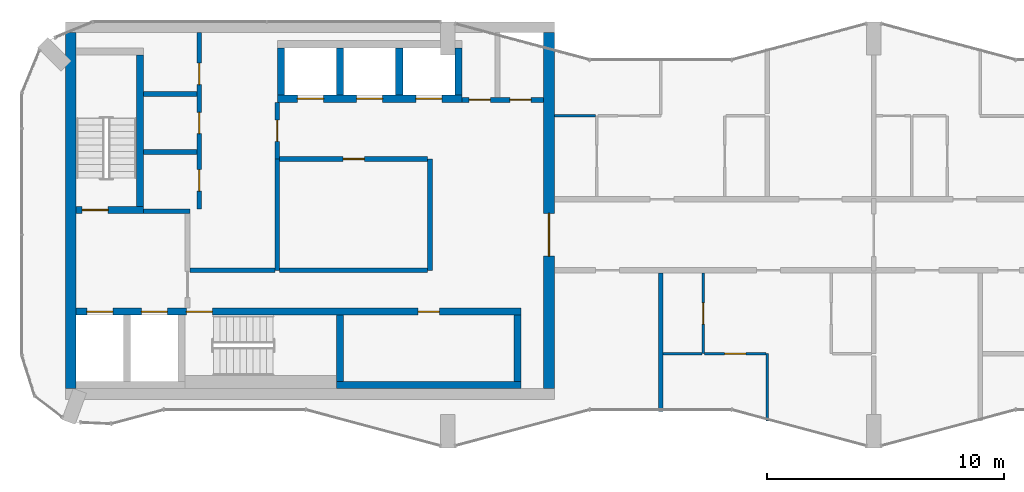
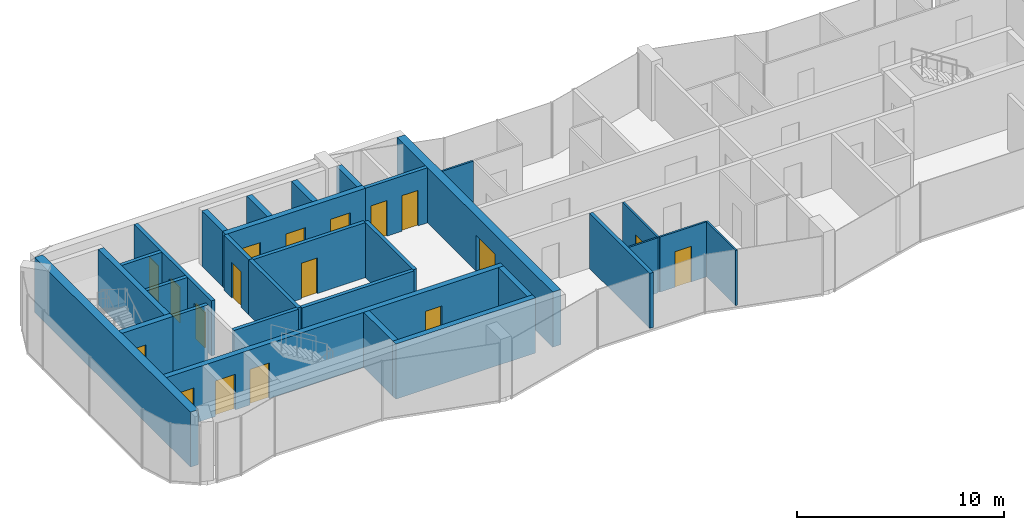
# One storey, part 7 of 10: 30 walls, 18 doors, 18 openings.
"""IFC4 building model written with IfcOpenShell, lengths in metres."""

from ifc_helpers import new_model, si_unit, direction, frame, frame_2d, origin, place, context, subcontext, project, spatial, rectangle, extrude, material, layer, layer_set, type_object, element, fill, save


model = new_model("IFC4")

# Units and contexts
model_context = context("Model", 3, precision=1e-05, world=origin(), true_north=direction((0.0, 1.0)))
body_context = subcontext(model_context, "Body", "Model", "MODEL_VIEW")
ifc_project = project(units=[si_unit("LENGTHUNIT", "METRE"), si_unit("AREAUNIT", "SQUARE_METRE"), si_unit("VOLUMEUNIT", "CUBIC_METRE"), si_unit("PLANEANGLEUNIT", "RADIAN"), si_unit("MASSUNIT", "GRAM", prefix="KILO")], contexts=[model_context])

# Site, building, storey
site_placement = place(None, origin())
site = spatial("IfcSite", under=ifc_project, at=site_placement, CompositionType="ELEMENT")
building_placement = place(site_placement, origin())
building = spatial("IfcBuilding", under=site, at=building_placement, Name="Plateau Cross Towers", CompositionType="ELEMENT")
storey_placement = place(building_placement, frame((0.0, 0.0, 280.89990234375)))
storey = spatial("IfcBuildingStorey", under=building, at=storey_placement, Name="L74", CompositionType="ELEMENT", Elevation=280.89990234375)

# Walls
ifc_material_1 = material(Name="Concrete block, plastered both sides", Category="concrete")
ifc_layer_1 = layer(ifc_material_1, 0.199951171875)
ifc_layer_set_1 = layer_set([ifc_layer_1], Name="Concrete block, plastered both sides")
wall_type_1 = type_object("IfcWallType", Name="Core partition 200", PredefinedType="PARTITIONING", material=ifc_layer_set_1)
wall_1_placement = place(storey_placement, frame((5.14990234375, 10.0, 0.0), z_axis=(0.0, 0.0, 1.0), x_axis=(1.0, 0.0, 0.0)))
element("IfcWall", 1, at=wall_1_placement, inside=storey, type_object=wall_type_1, Name="Core partition", PredefinedType="PARTITIONING", context=body_context, shape_type="SweptSolid", body=[
    extrude(rectangle(XDim=1.9501953125, YDim=0.199951171875, at=frame_2d((0.97509765625, 0.0))), origin(), (0.0, 0.0, 1.0), 3.25),
])
wall_2_placement = place(storey_placement, frame((7.10009765625, 7.5, 0.0), z_axis=(0.0, 0.0, 1.0), x_axis=(1.0, 0.0, 0.0)))
element("IfcWall", 2, at=wall_2_placement, inside=storey, type_object=wall_type_1, Name="Core partition", PredefinedType="PARTITIONING", context=body_context, shape_type="SweptSolid", body=[
    extrude(rectangle(XDim=3.599853515625, YDim=0.199951171875, at=frame_2d((1.7998046875, 0.0))), origin(), (0.0, 0.0, 1.0), 3.25),
])

# Wall, opening, door
wall_3_placement = place(storey_placement, frame((10.800048828125, 12.199951171875, 0.0), z_axis=(0.0, 0.0, 1.0), x_axis=(0.0, 1.0, 0.0)))
wall_3 = element("IfcWall", 3, at=wall_3_placement, inside=storey, type_object=wall_type_1, Name="Core partition", PredefinedType="PARTITIONING", context=body_context, shape_type="SweptSolid", body=[
    extrude(rectangle(XDim=2.400146484375, YDim=0.199951171875, at=frame_2d((1.2001953125, 0.0))), origin(), (0.0, 0.0, 1.0), 3.25),
])
opening_1_placement = place(wall_3_placement, frame((0.75, 0.0, 0.0)))
opening_1 = element("IfcOpeningElement", 4, at=opening_1_placement, cuts=wall_3, Name="Opening RD1", PredefinedType="OPENING", context=body_context, shape_type="SweptSolid", body=[
    extrude(rectangle(XDim=0.89990234375, YDim=2.10009765625, at=frame_2d((0.449951171875, 1.050048828125))), frame((0.0, 0.10986328125, 0.0), z_axis=(0.0, -1.0, 0.0), x_axis=(1.0, 0.0, 0.0)), (0.0, 0.0, 1.0), 0.219970703125),
])
ifc_material_2 = material(Name="Timber, fire-resisting leaf", Category="wood")
door_type_1 = type_object("IfcDoorType", Name="Core service door 900", OperationType="NOTDEFINED", PredefinedType="DOOR", material=ifc_material_2)
door_1_placement = place(opening_1_placement, origin())
door_1 = element("IfcDoor", 5, at=door_1_placement, inside=storey, type_object=door_type_1, Name="Core service door RD1", OperationType="SINGLE_SWING_LEFT", OverallHeight=2.10009765625, OverallWidth=0.89990234375, PredefinedType="DOOR", context=body_context, shape_type="SweptSolid", body=[
    extrude(rectangle(XDim=0.89990234375, YDim=2.10009765625, at=frame_2d((0.449951171875, 1.050048828125))), frame((0.0, 0.02490234375, 0.0), z_axis=(0.0, -1.0, 0.0), x_axis=(1.0, 0.0, 0.0)), (0.0, 0.0, 1.0), 0.050048828125),
])
fill(opening_1, door_1)

# Walls
wall_4_placement = place(storey_placement, frame((10.800048828125, 7.5, 0.0), z_axis=(0.0, 0.0, 1.0), x_axis=(0.0, 1.0, 0.0)))
element("IfcWall", 6, at=wall_4_placement, inside=storey, type_object=wall_type_1, Name="Core partition", PredefinedType="PARTITIONING", context=body_context, shape_type="SweptSolid", body=[
    extrude(rectangle(XDim=4.699951171875, YDim=0.199951171875, at=frame_2d((2.35009765625, 0.0))), origin(), (0.0, 0.0, 1.0), 3.25),
])
wall_5_placement = place(storey_placement, frame((10.89990234375, 7.5, 0.0), z_axis=(0.0, 0.0, 1.0), x_axis=(1.0, 0.0, 0.0)))
element("IfcWall", 7, at=wall_5_placement, inside=storey, type_object=wall_type_1, Name="Core partition", PredefinedType="PARTITIONING", context=body_context, shape_type="SweptSolid", body=[
    extrude(rectangle(XDim=6.25, YDim=0.199951171875, at=frame_2d((3.125, 0.0))), origin(), (0.0, 0.0, 1.0), 3.25),
])
wall_6_placement = place(storey_placement, frame((17.25, 7.5, 0.0), z_axis=(0.0, 0.0, 1.0), x_axis=(0.0, 1.0, 0.0)))
element("IfcWall", 8, at=wall_6_placement, inside=storey, type_object=wall_type_1, Name="Core partition", PredefinedType="PARTITIONING", context=body_context, shape_type="SweptSolid", body=[
    extrude(rectangle(XDim=4.699951171875, YDim=0.199951171875, at=frame_2d((2.35009765625, 0.0))), origin(), (0.0, 0.0, 1.0), 3.25),
])

# Wall, opening, door
wall_7_placement = place(storey_placement, frame((10.89990234375, 12.199951171875, 0.0), z_axis=(0.0, 0.0, 1.0), x_axis=(1.0, 0.0, 0.0)))
wall_7 = element("IfcWall", 9, at=wall_7_placement, inside=storey, type_object=wall_type_1, Name="Core partition", PredefinedType="PARTITIONING", context=body_context, shape_type="SweptSolid", body=[
    extrude(rectangle(XDim=6.25, YDim=0.199951171875, at=frame_2d((3.125, 0.0))), origin(), (0.0, 0.0, 1.0), 3.25),
])
opening_2_placement = place(wall_7_placement, frame((2.675048828125, 0.0, 0.0)))
opening_2 = element("IfcOpeningElement", 10, at=opening_2_placement, cuts=wall_7, Name="Opening RD1", PredefinedType="OPENING", context=body_context, shape_type="SweptSolid", body=[
    extrude(rectangle(XDim=0.89990234375, YDim=2.10009765625, at=frame_2d((0.449951171875, 1.050048828125))), frame((0.0, 0.10986328125, 0.0), z_axis=(0.0, -1.0, 0.0), x_axis=(1.0, 0.0, 0.0)), (0.0, 0.0, 1.0), 0.219970703125),
])
door_2_placement = place(opening_2_placement, origin())
door_2 = element("IfcDoor", 11, at=door_2_placement, inside=storey, type_object=door_type_1, Name="Core service door RD1", OperationType="SINGLE_SWING_LEFT", OverallHeight=2.10009765625, OverallWidth=0.89990234375, PredefinedType="DOOR", context=body_context, shape_type="SweptSolid", body=[
    extrude(rectangle(XDim=0.89990234375, YDim=2.10009765625, at=frame_2d((0.449951171875, 1.050048828125))), frame((0.0, 0.02490234375, 0.0), z_axis=(0.0, -1.0, 0.0), x_axis=(1.0, 0.0, 0.0)), (0.0, 0.0, 1.0), 0.050048828125),
])
fill(opening_2, door_2)

# Wall, openings, doors
wall_8_placement = place(storey_placement, frame((7.5, 10.10009765625, 0.0), z_axis=(0.0, 0.0, 1.0), x_axis=(0.0, 1.0, 0.0)))
wall_8 = element("IfcWall", 12, at=wall_8_placement, inside=storey, type_object=wall_type_1, Name="Core partition", PredefinedType="PARTITIONING", context=body_context, shape_type="SweptSolid", body=[
    extrude(rectangle(XDim=7.449951171875, YDim=0.199951171875, at=frame_2d((3.72509765625, 0.0))), origin(), (0.0, 0.0, 1.0), 3.25),
])
opening_3_placement = place(wall_8_placement, frame((0.75, 0.0, 0.0)))
opening_3 = element("IfcOpeningElement", 13, at=opening_3_placement, cuts=wall_8, Name="Opening RD1", PredefinedType="OPENING", context=body_context, shape_type="SweptSolid", body=[
    extrude(rectangle(XDim=0.89990234375, YDim=2.10009765625, at=frame_2d((0.449951171875, 1.050048828125))), frame((0.0, 0.10986328125, 0.0), z_axis=(0.0, -1.0, 0.0), x_axis=(1.0, 0.0, 0.0)), (0.0, 0.0, 1.0), 0.219970703125),
])
opening_4_placement = place(wall_8_placement, frame((3.175048828125, 0.0, 0.0)))
opening_4 = element("IfcOpeningElement", 14, at=opening_4_placement, cuts=wall_8, Name="Opening RD1", PredefinedType="OPENING", context=body_context, shape_type="SweptSolid", body=[
    extrude(rectangle(XDim=0.89990234375, YDim=2.10009765625, at=frame_2d((0.449951171875, 1.050048828125))), frame((0.0, 0.10986328125, 0.0), z_axis=(0.0, -1.0, 0.0), x_axis=(1.0, 0.0, 0.0)), (0.0, 0.0, 1.0), 0.219970703125),
])
opening_5_placement = place(wall_8_placement, frame((5.25, 0.0, 0.0)))
opening_5 = element("IfcOpeningElement", 15, at=opening_5_placement, cuts=wall_8, Name="Opening RD1", PredefinedType="OPENING", context=body_context, shape_type="SweptSolid", body=[
    extrude(rectangle(XDim=0.89990234375, YDim=2.10009765625, at=frame_2d((0.449951171875, 1.050048828125))), frame((0.0, 0.10986328125, 0.0), z_axis=(0.0, -1.0, 0.0), x_axis=(1.0, 0.0, 0.0)), (0.0, 0.0, 1.0), 0.219970703125),
])
door_3_placement = place(opening_3_placement, origin())
door_3 = element("IfcDoor", 16, at=door_3_placement, inside=storey, type_object=door_type_1, Name="Core service door RD1", OperationType="SINGLE_SWING_RIGHT", OverallHeight=2.10009765625, OverallWidth=0.89990234375, PredefinedType="DOOR", context=body_context, shape_type="SweptSolid", body=[
    extrude(rectangle(XDim=0.89990234375, YDim=2.10009765625, at=frame_2d((0.449951171875, 1.050048828125))), frame((0.0, 0.02490234375, 0.0), z_axis=(0.0, -1.0, 0.0), x_axis=(1.0, 0.0, 0.0)), (0.0, 0.0, 1.0), 0.050048828125),
])
fill(opening_3, door_3)
door_4_placement = place(opening_4_placement, origin())
door_4 = element("IfcDoor", 17, at=door_4_placement, inside=storey, type_object=door_type_1, Name="Core service door RD1", OperationType="SINGLE_SWING_RIGHT", OverallHeight=2.10009765625, OverallWidth=0.89990234375, PredefinedType="DOOR", context=body_context, shape_type="SweptSolid", body=[
    extrude(rectangle(XDim=0.89990234375, YDim=2.10009765625, at=frame_2d((0.449951171875, 1.050048828125))), frame((0.0, 0.02490234375, 0.0), z_axis=(0.0, -1.0, 0.0), x_axis=(1.0, 0.0, 0.0)), (0.0, 0.0, 1.0), 0.050048828125),
])
fill(opening_4, door_4)
door_5_placement = place(opening_5_placement, origin())
door_5 = element("IfcDoor", 18, at=door_5_placement, inside=storey, type_object=door_type_1, Name="Core service door RD1", OperationType="SINGLE_SWING_RIGHT", OverallHeight=2.10009765625, OverallWidth=0.89990234375, PredefinedType="DOOR", context=body_context, shape_type="SweptSolid", body=[
    extrude(rectangle(XDim=0.89990234375, YDim=2.10009765625, at=frame_2d((0.449951171875, 1.050048828125))), frame((0.0, 0.02490234375, 0.0), z_axis=(0.0, -1.0, 0.0), x_axis=(1.0, 0.0, 0.0)), (0.0, 0.0, 1.0), 0.050048828125),
])
fill(opening_5, door_5)

# Walls
for number, where, z_axis, x_axis, name in (
    (19, (5.14990234375, 12.5, 0.0), (0.0, 0.0, 1.0), (1.0, 0.0, 0.0), "Core partition"),
    (20, (5.14990234375, 14.949951171875, 0.0), (0.0, 0.0, 1.0), (1.0, 0.0, 0.0), "Core partition"),
):
    element("IfcWall", number, at=place(storey_placement, frame(where, z_axis=z_axis, x_axis=x_axis)), inside=storey, type_object=wall_type_1, Name=name, PredefinedType="PARTITIONING", context=body_context, shape_type="SweptSolid", body=[
        extrude(rectangle(XDim=2.25, YDim=0.199951171875, at=frame_2d((1.125, 0.0))), origin(), (0.0, 0.0, 1.0), 3.25),
    ])

# Wall, openings, doors
wall_9_placement = place(storey_placement, frame((18.60009765625, 14.699951171875, 0.0), z_axis=(0.0, 0.0, 1.0), x_axis=(1.0, 0.0, 0.0)))
wall_9 = element("IfcWall", 21, at=wall_9_placement, inside=storey, type_object=wall_type_1, Name="Core partition", PredefinedType="PARTITIONING", context=body_context, shape_type="SweptSolid", body=[
    extrude(rectangle(XDim=3.449951171875, YDim=0.199951171875, at=frame_2d((1.72509765625, 0.0))), origin(), (0.0, 0.0, 1.0), 3.25),
])
opening_6_placement = place(wall_9_placement, frame((0.300048828125, 0.0, 0.0)))
opening_6 = element("IfcOpeningElement", 22, at=opening_6_placement, cuts=wall_9, Name="Opening RD2", PredefinedType="OPENING", context=body_context, shape_type="SweptSolid", body=[
    extrude(rectangle(XDim=0.89990234375, YDim=2.10009765625, at=frame_2d((0.449951171875, 1.050048828125))), frame((0.0, 0.10986328125, 0.0), z_axis=(0.0, -1.0, 0.0), x_axis=(1.0, 0.0, 0.0)), (0.0, 0.0, 1.0), 0.219970703125),
])
opening_7_placement = place(wall_9_placement, frame((2.02490234375, 0.0, 0.0)))
opening_7 = element("IfcOpeningElement", 23, at=opening_7_placement, cuts=wall_9, Name="Opening RD2", PredefinedType="OPENING", context=body_context, shape_type="SweptSolid", body=[
    extrude(rectangle(XDim=0.89990234375, YDim=2.10009765625, at=frame_2d((0.449951171875, 1.050048828125))), frame((0.0, 0.10986328125, 0.0), z_axis=(0.0, -1.0, 0.0), x_axis=(1.0, 0.0, 0.0)), (0.0, 0.0, 1.0), 0.219970703125),
])
ifc_material_3 = material(Name="Steel, fire-resisting leaf", Category="steel")
door_type_2 = type_object("IfcDoorType", Name="Core riser door 900", OperationType="NOTDEFINED", PredefinedType="DOOR", material=ifc_material_3)
door_6_placement = place(opening_6_placement, origin())
door_6 = element("IfcDoor", 24, at=door_6_placement, inside=storey, type_object=door_type_2, Name="Core riser door RD2", OperationType="SINGLE_SWING_LEFT", OverallHeight=2.10009765625, OverallWidth=0.89990234375, PredefinedType="DOOR", context=body_context, shape_type="SweptSolid", body=[
    extrude(rectangle(XDim=0.89990234375, YDim=2.10009765625, at=frame_2d((0.449951171875, 1.050048828125))), frame((0.0, 0.02490234375, 0.0), z_axis=(0.0, -1.0, 0.0), x_axis=(1.0, 0.0, 0.0)), (0.0, 0.0, 1.0), 0.050048828125),
])
fill(opening_6, door_6)
door_7_placement = place(opening_7_placement, origin())
door_7 = element("IfcDoor", 25, at=door_7_placement, inside=storey, type_object=door_type_2, Name="Core riser door RD2", OperationType="SINGLE_SWING_LEFT", OverallHeight=2.10009765625, OverallWidth=0.89990234375, PredefinedType="DOOR", context=body_context, shape_type="SweptSolid", body=[
    extrude(rectangle(XDim=0.89990234375, YDim=2.10009765625, at=frame_2d((0.449951171875, 1.050048828125))), frame((0.0, 0.02490234375, 0.0), z_axis=(0.0, -1.0, 0.0), x_axis=(1.0, 0.0, 0.0)), (0.0, 0.0, 1.0), 0.050048828125),
])
fill(opening_7, door_7)

# Walls
ifc_material_4 = material(Name="Concrete C60/75", Category="concrete")
ifc_layer_2 = layer(ifc_material_4, 0.300048828125)
ifc_layer_set_2 = layer_set([ifc_layer_2], Name="Concrete C60/75")
wall_type_2 = type_object("IfcWallType", Name="Core shaft wall 300", PredefinedType="SHEAR", material=ifc_layer_set_2)
wall_10_placement = place(storey_placement, frame((13.300048828125, 2.64990234375, 0.0), z_axis=(0.0, 0.0, 1.0), x_axis=(1.0, 0.0, 0.0)))
element("IfcWall", 26, at=wall_10_placement, inside=storey, type_object=wall_type_2, Name="A-sb-back3@L74", PredefinedType="SHEAR", context=body_context, shape_type="SweptSolid", body=[
    extrude(rectangle(XDim=7.800048828125, YDim=0.300048828125, at=frame_2d((3.89990234375, 0.0))), origin(), (0.0, 0.0, 1.0), 3.25),
])
for number, where, z_axis, x_axis, name in (
    (27, (13.449951171875, 2.800048828125, 0.0), (0.0, 0.0, 1.0), (0.0, 1.0, 0.0), "A-sb-v3@L74"),
    (28, (20.949951171875, 2.800048828125, 0.0), (0.0, 0.0, 1.0), (0.0, 1.0, 0.0), "A-sb-v6@L74"),
):
    element("IfcWall", number, at=place(storey_placement, frame(where, z_axis=z_axis, x_axis=x_axis)), inside=storey, type_object=wall_type_2, Name=name, PredefinedType="SHEAR", context=body_context, shape_type="SweptSolid", body=[
        extrude(rectangle(XDim=2.800048828125, YDim=0.300048828125, at=frame_2d((1.39990234375, 0.0))), origin(), (0.0, 0.0, 1.0), 3.25),
    ])

# Wall, openings, doors
wall_11_placement = place(storey_placement, frame((2.300048828125, 5.75, 0.0), z_axis=(0.0, 0.0, 1.0), x_axis=(1.0, 0.0, 0.0)))
wall_11 = element("IfcWall", 29, at=wall_11_placement, inside=storey, type_object=wall_type_2, Name="A-sb-front@L74", PredefinedType="SHEAR", context=body_context, shape_type="SweptSolid", body=[
    extrude(rectangle(XDim=18.800048828125, YDim=0.300048828125, at=frame_2d((9.39990234375, 0.0))), origin(), (0.0, 0.0, 1.0), 3.25),
])
opening_8_placement = place(wall_11_placement, frame((4.64990234375, 0.0, 0.0)))
opening_8 = element("IfcOpeningElement", 30, at=opening_8_placement, cuts=wall_11, Name="Opening SD", PredefinedType="OPENING", context=body_context, shape_type="SweptSolid", body=[
    extrude(rectangle(XDim=1.10009765625, YDim=2.10009765625, at=frame_2d((0.550048828125, 1.050048828125))), frame((0.0, 0.159912109375, 0.0), z_axis=(0.0, -1.0, 0.0), x_axis=(1.0, 0.0, 0.0)), (0.0, 0.0, 1.0), 0.320068359375),
])
opening_9_placement = place(wall_11_placement, frame((0.449951171875, 0.0, 0.0)))
opening_9 = element("IfcOpeningElement", 31, at=opening_9_placement, cuts=wall_11, Name="Opening LD", PredefinedType="OPENING", context=body_context, shape_type="SweptSolid", body=[
    extrude(rectangle(XDim=1.10009765625, YDim=2.10009765625, at=frame_2d((0.550048828125, 1.050048828125))), frame((0.0, 0.159912109375, 0.0), z_axis=(0.0, -1.0, 0.0), x_axis=(1.0, 0.0, 0.0)), (0.0, 0.0, 1.0), 0.320068359375),
])
opening_10_placement = place(wall_11_placement, frame((2.75, 0.0, 0.0)))
opening_10 = element("IfcOpeningElement", 32, at=opening_10_placement, cuts=wall_11, Name="Opening LD", PredefinedType="OPENING", context=body_context, shape_type="SweptSolid", body=[
    extrude(rectangle(XDim=1.10009765625, YDim=2.10009765625, at=frame_2d((0.550048828125, 1.050048828125))), frame((0.0, 0.159912109375, 0.0), z_axis=(0.0, -1.0, 0.0), x_axis=(1.0, 0.0, 0.0)), (0.0, 0.0, 1.0), 0.320068359375),
])
opening_11_placement = place(wall_11_placement, frame((14.449951171875, 0.0, 0.0)))
opening_11 = element("IfcOpeningElement", 33, at=opening_11_placement, cuts=wall_11, Name="Opening RD2", PredefinedType="OPENING", context=body_context, shape_type="SweptSolid", body=[
    extrude(rectangle(XDim=0.89990234375, YDim=2.10009765625, at=frame_2d((0.449951171875, 1.050048828125))), frame((0.0, 0.159912109375, 0.0), z_axis=(0.0, -1.0, 0.0), x_axis=(1.0, 0.0, 0.0)), (0.0, 0.0, 1.0), 0.320068359375),
])
door_8_placement = place(opening_11_placement, origin())
door_8 = element("IfcDoor", 34, at=door_8_placement, inside=storey, type_object=door_type_2, Name="Core riser door RD2", OperationType="SINGLE_SWING_LEFT", OverallHeight=2.10009765625, OverallWidth=0.89990234375, PredefinedType="DOOR", context=body_context, shape_type="SweptSolid", body=[
    extrude(rectangle(XDim=0.89990234375, YDim=2.10009765625, at=frame_2d((0.449951171875, 1.050048828125))), frame((0.0, 0.02490234375, 0.0), z_axis=(0.0, -1.0, 0.0), x_axis=(1.0, 0.0, 0.0)), (0.0, 0.0, 1.0), 0.050048828125),
])
fill(opening_11, door_8)
ifc_material_5 = material(Name="Stainless steel, fire-resisting sliding leaves", Category="steel")
door_type_3 = type_object("IfcDoorType", Name="Lift landing door 1100", OperationType="NOTDEFINED", PredefinedType="DOOR", material=ifc_material_5)
door_9_placement = place(opening_9_placement, origin())
door_9 = element("IfcDoor", 35, at=door_9_placement, inside=storey, type_object=door_type_3, Name="Lift landing door LD", OperationType="DOUBLE_DOOR_SLIDING", OverallHeight=2.10009765625, OverallWidth=1.10009765625, PredefinedType="DOOR", context=body_context, shape_type="SweptSolid", body=[
    extrude(rectangle(XDim=1.10009765625, YDim=2.10009765625, at=frame_2d((0.550048828125, 1.050048828125))), frame((0.0, 0.02490234375, 0.0), z_axis=(0.0, -1.0, 0.0), x_axis=(1.0, 0.0, 0.0)), (0.0, 0.0, 1.0), 0.050048828125),
])
fill(opening_9, door_9)
door_10_placement = place(opening_10_placement, origin())
door_10 = element("IfcDoor", 36, at=door_10_placement, inside=storey, type_object=door_type_3, Name="Lift landing door LD", OperationType="DOUBLE_DOOR_SLIDING", OverallHeight=2.10009765625, OverallWidth=1.10009765625, PredefinedType="DOOR", context=body_context, shape_type="SweptSolid", body=[
    extrude(rectangle(XDim=1.10009765625, YDim=2.10009765625, at=frame_2d((0.550048828125, 1.050048828125))), frame((0.0, 0.02490234375, 0.0), z_axis=(0.0, -1.0, 0.0), x_axis=(1.0, 0.0, 0.0)), (0.0, 0.0, 1.0), 0.050048828125),
])
fill(opening_10, door_10)
door_type_4 = type_object("IfcDoorType", Name="Stair door 1100", OperationType="NOTDEFINED", PredefinedType="DOOR", material=ifc_material_3)
door_11_placement = place(opening_8_placement, origin())
door_11 = element("IfcDoor", 37, at=door_11_placement, inside=storey, type_object=door_type_4, Name="Stair door SD", OperationType="SINGLE_SWING_LEFT", OverallHeight=2.10009765625, OverallWidth=1.10009765625, PredefinedType="DOOR", context=body_context, shape_type="SweptSolid", body=[
    extrude(rectangle(XDim=1.10009765625, YDim=2.10009765625, at=frame_2d((0.550048828125, 1.050048828125))), frame((0.0, 0.02490234375, 0.0), z_axis=(0.0, -1.0, 0.0), x_axis=(1.0, 0.0, 0.0)), (0.0, 0.0, 1.0), 0.050048828125),
])
fill(opening_8, door_11)

# Wall, opening, door
wall_12_placement = place(storey_placement, frame((2.300048828125, 10.050048828125, 0.0), z_axis=(0.0, 0.0, 1.0), x_axis=(1.0, 0.0, 0.0)))
wall_12 = element("IfcWall", 38, at=wall_12_placement, inside=storey, type_object=wall_type_2, Name="A-st1-S@L74", PredefinedType="SHEAR", context=body_context, shape_type="SweptSolid", body=[
    extrude(rectangle(XDim=2.849853515625, YDim=0.300048828125, at=frame_2d((1.4248046875, 0.0))), origin(), (0.0, 0.0, 1.0), 3.25),
])
opening_12_placement = place(wall_12_placement, frame((0.25, 0.0, 0.0)))
opening_12 = element("IfcOpeningElement", 39, at=opening_12_placement, cuts=wall_12, Name="Opening SD", PredefinedType="OPENING", context=body_context, shape_type="SweptSolid", body=[
    extrude(rectangle(XDim=1.10009765625, YDim=2.10009765625, at=frame_2d((0.550048828125, 1.050048828125))), frame((0.0, 0.159912109375, 0.0), z_axis=(0.0, -1.0, 0.0), x_axis=(1.0, 0.0, 0.0)), (0.0, 0.0, 1.0), 0.320068359375),
])
door_12_placement = place(opening_12_placement, origin())
door_12 = element("IfcDoor", 40, at=door_12_placement, inside=storey, type_object=door_type_4, Name="Stair door SD", OperationType="SINGLE_SWING_RIGHT", OverallHeight=2.10009765625, OverallWidth=1.10009765625, PredefinedType="DOOR", context=body_context, shape_type="SweptSolid", body=[
    extrude(rectangle(XDim=1.10009765625, YDim=2.10009765625, at=frame_2d((0.550048828125, 1.050048828125))), frame((0.0, 0.02490234375, 0.0), z_axis=(0.0, -1.0, 0.0), x_axis=(1.0, 0.0, 0.0)), (0.0, 0.0, 1.0), 0.050048828125),
])
fill(opening_12, door_12)

# Wall
wall_13_placement = place(storey_placement, frame((5.0, 10.199951171875, 0.0), z_axis=(0.0, 0.0, 1.0), x_axis=(0.0, 1.0, 0.0)))
element("IfcWall", 41, at=wall_13_placement, inside=storey, type_object=wall_type_2, Name="A-st1-E@L74", PredefinedType="SHEAR", context=body_context, shape_type="SweptSolid", body=[
    extrude(rectangle(XDim=6.400146484375, YDim=0.300048828125, at=frame_2d((3.2001953125, 0.0))), origin(), (0.0, 0.0, 1.0), 3.25),
])

# Wall, openings, doors
wall_14_placement = place(storey_placement, frame((10.800048828125, 14.75, 0.0), z_axis=(0.0, 0.0, 1.0), x_axis=(1.0, 0.0, 0.0)))
wall_14 = element("IfcWall", 42, at=wall_14_placement, inside=storey, type_object=wall_type_2, Name="A-nb-front@L74", PredefinedType="SHEAR", context=body_context, shape_type="SweptSolid", body=[
    extrude(rectangle(XDim=7.800048828125, YDim=0.300048828125, at=frame_2d((3.89990234375, 0.0))), origin(), (0.0, 0.0, 1.0), 3.25),
])
opening_13_placement = place(wall_14_placement, frame((0.85009765625, 0.0, 0.0)))
opening_13 = element("IfcOpeningElement", 43, at=opening_13_placement, cuts=wall_14, Name="Opening LD", PredefinedType="OPENING", context=body_context, shape_type="SweptSolid", body=[
    extrude(rectangle(XDim=1.10009765625, YDim=2.10009765625, at=frame_2d((0.550048828125, 1.050048828125))), frame((0.0, 0.159912109375, 0.0), z_axis=(0.0, -1.0, 0.0), x_axis=(1.0, 0.0, 0.0)), (0.0, 0.0, 1.0), 0.320068359375),
])
opening_14_placement = place(wall_14_placement, frame((3.35009765625, 0.0, 0.0)))
opening_14 = element("IfcOpeningElement", 44, at=opening_14_placement, cuts=wall_14, Name="Opening LD", PredefinedType="OPENING", context=body_context, shape_type="SweptSolid", body=[
    extrude(rectangle(XDim=1.10009765625, YDim=2.10009765625, at=frame_2d((0.550048828125, 1.050048828125))), frame((0.0, 0.159912109375, 0.0), z_axis=(0.0, -1.0, 0.0), x_axis=(1.0, 0.0, 0.0)), (0.0, 0.0, 1.0), 0.320068359375),
])
opening_15_placement = place(wall_14_placement, frame((5.85009765625, 0.0, 0.0)))
opening_15 = element("IfcOpeningElement", 45, at=opening_15_placement, cuts=wall_14, Name="Opening LD", PredefinedType="OPENING", context=body_context, shape_type="SweptSolid", body=[
    extrude(rectangle(XDim=1.10009765625, YDim=2.10009765625, at=frame_2d((0.550048828125, 1.050048828125))), frame((0.0, 0.159912109375, 0.0), z_axis=(0.0, -1.0, 0.0), x_axis=(1.0, 0.0, 0.0)), (0.0, 0.0, 1.0), 0.320068359375),
])
door_13_placement = place(opening_13_placement, origin())
door_13 = element("IfcDoor", 46, at=door_13_placement, inside=storey, type_object=door_type_3, Name="Lift landing door LD", OperationType="DOUBLE_DOOR_SLIDING", OverallHeight=2.10009765625, OverallWidth=1.10009765625, PredefinedType="DOOR", context=body_context, shape_type="SweptSolid", body=[
    extrude(rectangle(XDim=1.10009765625, YDim=2.10009765625, at=frame_2d((0.550048828125, 1.050048828125))), frame((0.0, 0.02490234375, 0.0), z_axis=(0.0, -1.0, 0.0), x_axis=(1.0, 0.0, 0.0)), (0.0, 0.0, 1.0), 0.050048828125),
])
fill(opening_13, door_13)
door_14_placement = place(opening_14_placement, origin())
door_14 = element("IfcDoor", 47, at=door_14_placement, inside=storey, type_object=door_type_3, Name="Lift landing door LD", OperationType="DOUBLE_DOOR_SLIDING", OverallHeight=2.10009765625, OverallWidth=1.10009765625, PredefinedType="DOOR", context=body_context, shape_type="SweptSolid", body=[
    extrude(rectangle(XDim=1.10009765625, YDim=2.10009765625, at=frame_2d((0.550048828125, 1.050048828125))), frame((0.0, 0.02490234375, 0.0), z_axis=(0.0, -1.0, 0.0), x_axis=(1.0, 0.0, 0.0)), (0.0, 0.0, 1.0), 0.050048828125),
])
fill(opening_14, door_14)
door_15_placement = place(opening_15_placement, origin())
door_15 = element("IfcDoor", 48, at=door_15_placement, inside=storey, type_object=door_type_3, Name="Lift landing door LD", OperationType="DOUBLE_DOOR_SLIDING", OverallHeight=2.10009765625, OverallWidth=1.10009765625, PredefinedType="DOOR", context=body_context, shape_type="SweptSolid", body=[
    extrude(rectangle(XDim=1.10009765625, YDim=2.10009765625, at=frame_2d((0.550048828125, 1.050048828125))), frame((0.0, 0.02490234375, 0.0), z_axis=(0.0, -1.0, 0.0), x_axis=(1.0, 0.0, 0.0)), (0.0, 0.0, 1.0), 0.050048828125),
])
fill(opening_15, door_15)

# Walls
for number, where, z_axis, x_axis, name in (
    (49, (10.949951171875, 14.89990234375, 0.0), (0.0, 0.0, 1.0), (0.0, 1.0, 0.0), "A-nb-v1@L74"),
    (50, (13.449951171875, 14.89990234375, 0.0), (0.0, 0.0, 1.0), (0.0, 1.0, 0.0), "A-nb-v2@L74"),
    (51, (15.949951171875, 14.89990234375, 0.0), (0.0, 0.0, 1.0), (0.0, 1.0, 0.0), "A-nb-v3@L74"),
    (52, (18.449951171875, 14.89990234375, 0.0), (0.0, 0.0, 1.0), (0.0, 1.0, 0.0), "A-nb-v4@L74"),
):
    element("IfcWall", number, at=place(storey_placement, frame(where, z_axis=z_axis, x_axis=x_axis)), inside=storey, type_object=wall_type_2, Name=name, PredefinedType="SHEAR", context=body_context, shape_type="SweptSolid", body=[
        extrude(rectangle(XDim=2.0, YDim=0.300048828125, at=frame_2d((1.0, 0.0))), origin(), (0.0, 0.0, 1.0), 3.25),
    ])
ifc_layer_3 = layer(ifc_material_4, 0.449951171875)
ifc_layer_set_3 = layer_set([ifc_layer_3], Name="Concrete C60/75")
wall_type_3 = type_object("IfcWallType", Name="Core shell wall 450", PredefinedType="SHEAR", material=ifc_layer_set_3)
wall_15_placement = place(storey_placement, frame((2.074951171875, 2.5, 0.0), z_axis=(0.0, 0.0, 1.0), x_axis=(0.0, 1.0, 0.0)))
element("IfcWall", 53, at=wall_15_placement, inside=storey, type_object=wall_type_3, Name="A-core-W@L74", PredefinedType="SHEAR", context=body_context, shape_type="SweptSolid", body=[
    extrude(rectangle(XDim=15.050048828125, YDim=0.449951171875, at=frame_2d((7.52490234375, 0.0))), origin(), (0.0, 0.0, 1.0), 3.25),
])

# Wall, opening, door
wall_16_placement = place(storey_placement, frame((22.27490234375, 2.5, 0.0), z_axis=(0.0, 0.0, 1.0), x_axis=(0.0, 1.0, 0.0)))
wall_16 = element("IfcWall", 54, at=wall_16_placement, inside=storey, type_object=wall_type_3, Name="A-core-E@L74", PredefinedType="SHEAR", context=body_context, shape_type="SweptSolid", body=[
    extrude(rectangle(XDim=15.050048828125, YDim=0.449951171875, at=frame_2d((7.52490234375, 0.0))), origin(), (0.0, 0.0, 1.0), 3.25),
])
opening_16_placement = place(wall_16_placement, frame((5.60009765625, 0.0, 0.0)))
opening_16 = element("IfcOpeningElement", 55, at=opening_16_placement, cuts=wall_16, Name="Opening CD", PredefinedType="OPENING", context=body_context, shape_type="SweptSolid", body=[
    extrude(rectangle(XDim=1.800048828125, YDim=2.10009765625, at=frame_2d((0.89990234375, 1.050048828125))), frame((0.0, 0.23486328125, 0.0), z_axis=(0.0, -1.0, 0.0), x_axis=(1.0, 0.0, 0.0)), (0.0, 0.0, 1.0), 0.469970703125),
])
ifc_material_6 = material(Name="Steel, fire-resisting leaves", Category="steel")
door_type_5 = type_object("IfcDoorType", Name="Corridor door pair 1800", OperationType="NOTDEFINED", PredefinedType="DOOR", material=ifc_material_6)
door_16_placement = place(opening_16_placement, origin())
door_16 = element("IfcDoor", 56, at=door_16_placement, inside=storey, type_object=door_type_5, Name="Corridor door pair CD", OperationType="DOUBLE_DOOR_SINGLE_SWING", OverallHeight=2.10009765625, OverallWidth=1.800048828125, PredefinedType="DOOR", context=body_context, shape_type="SweptSolid", body=[
    extrude(rectangle(XDim=1.800048828125, YDim=2.10009765625, at=frame_2d((0.89990234375, 1.050048828125))), frame((0.0, 0.02490234375, 0.0), z_axis=(0.0, -1.0, 0.0), x_axis=(1.0, 0.0, 0.0)), (0.0, 0.0, 1.0), 0.050048828125),
])
fill(opening_16, door_16)

ifc_material_7 = material(Name="Gypsum board on steel studs", Category="steel")
ifc_layer_4 = layer(ifc_material_7, 0.10009765625)
ifc_layer_set_4 = layer_set([ifc_layer_4], Name="Gypsum board on steel studs")
wall_type_4 = type_object("IfcWallType", Name="Flat partition 100", PredefinedType="PARTITIONING", material=ifc_layer_set_4)
wall_17_placement = place(storey_placement, frame((31.449951171875, 3.97509765625, 0.0), z_axis=(0.0, 0.0, 1.0), x_axis=(-1.0, 0.0, 0.0)))
wall_17 = element("IfcWall", 57, at=wall_17_placement, inside=storey, type_object=wall_type_4, Name="Partition wall", PredefinedType="PARTITIONING", context=body_context, shape_type="SweptSolid", body=[
    extrude(rectangle(XDim=2.599853515625, YDim=0.10009765625, at=frame_2d((1.2998046875, 0.0))), origin(), (0.0, 0.0, 1.0), 3.25),
])
opening_17_placement = place(wall_17_placement, frame((0.85009765625, 0.0, 0.0)))
opening_17 = element("IfcOpeningElement", 58, at=opening_17_placement, cuts=wall_17, Name="Opening 74-13", PredefinedType="OPENING", context=body_context, shape_type="SweptSolid", body=[
    extrude(rectangle(XDim=0.89990234375, YDim=2.10009765625, at=frame_2d((0.449951171875, 1.050048828125))), frame((0.0, 0.06005859375, 0.0), z_axis=(0.0, -1.0, 0.0), x_axis=(1.0, 0.0, 0.0)), (0.0, 0.0, 1.0), 0.1201171875),
])
ifc_material_8 = material(Name="Timber leaf", Category="wood")
door_type_6 = type_object("IfcDoorType", Name="Flat room door 900", OperationType="NOTDEFINED", PredefinedType="DOOR", material=ifc_material_8)
door_17_placement = place(opening_17_placement, origin())
door_17 = element("IfcDoor", 59, at=door_17_placement, inside=storey, type_object=door_type_6, Name="Door 74-13", OperationType="SINGLE_SWING_RIGHT", OverallHeight=2.10009765625, OverallWidth=0.89990234375, PredefinedType="DOOR", context=body_context, shape_type="SweptSolid", body=[
    extrude(rectangle(XDim=0.89990234375, YDim=2.10009765625, at=frame_2d((0.449951171875, 1.050048828125))), frame((0.0, 0.02490234375, 0.0), z_axis=(0.0, -1.0, 0.0), x_axis=(1.0, 0.0, 0.0)), (0.0, 0.0, 1.0), 0.050048828125),
])
fill(opening_17, door_17)

# Walls
wall_18_placement = place(storey_placement, frame((27.10009765625, 3.97509765625, 0.0), z_axis=(0.0, 0.0, 1.0), x_axis=(1.0, 0.0, 0.0)))
element("IfcWall", 60, at=wall_18_placement, inside=storey, type_object=wall_type_4, Name="Partition wall", PredefinedType="PARTITIONING", context=body_context, shape_type="SweptSolid", body=[
    extrude(rectangle(XDim=1.64990234375, YDim=0.10009765625, at=frame_2d((0.824951171875, 0.0))), origin(), (0.0, 0.0, 1.0), 3.25),
])
wall_19_placement = place(storey_placement, frame((24.25, 14.02490234375, 0.0), z_axis=(0.0, 0.0, 1.0), x_axis=(-1.0, 0.0, 0.0)))
element("IfcWall", 61, at=wall_19_placement, inside=storey, type_object=wall_type_4, Name="Partition wall", PredefinedType="PARTITIONING", context=body_context, shape_type="SweptSolid", body=[
    extrude(rectangle(XDim=1.75, YDim=0.10009765625, at=frame_2d((0.875, 0.0))), origin(), (0.0, 0.0, 1.0), 3.25),
])

# Wall, opening, door
wall_20_placement = place(storey_placement, frame((28.800048828125, 3.97509765625, 0.0), z_axis=(0.0, 0.0, 1.0), x_axis=(0.0, 1.0, 0.0)))
wall_20 = element("IfcWall", 62, at=wall_20_placement, inside=storey, type_object=wall_type_4, Name="Partition wall", PredefinedType="PARTITIONING", context=body_context, shape_type="SweptSolid", body=[
    extrude(rectangle(XDim=3.39990234375, YDim=0.10009765625, at=frame_2d((1.699951171875, 0.0))), origin(), (0.0, 0.0, 1.0), 3.25),
])
opening_18_placement = place(wall_20_placement, frame((1.25, 0.0, 0.0)))
opening_18 = element("IfcOpeningElement", 63, at=opening_18_placement, cuts=wall_20, Name="Opening 74-11", PredefinedType="OPENING", context=body_context, shape_type="SweptSolid", body=[
    extrude(rectangle(XDim=0.89990234375, YDim=2.10009765625, at=frame_2d((0.449951171875, 1.050048828125))), frame((0.0, 0.06005859375, 0.0), z_axis=(0.0, -1.0, 0.0), x_axis=(1.0, 0.0, 0.0)), (0.0, 0.0, 1.0), 0.1201171875),
])
door_18_placement = place(opening_18_placement, origin())
door_18 = element("IfcDoor", 64, at=door_18_placement, inside=storey, type_object=door_type_6, Name="Door 74-11", OperationType="SINGLE_SWING_LEFT", OverallHeight=2.10009765625, OverallWidth=0.89990234375, PredefinedType="DOOR", context=body_context, shape_type="SweptSolid", body=[
    extrude(rectangle(XDim=0.89990234375, YDim=2.10009765625, at=frame_2d((0.449951171875, 1.050048828125))), frame((0.0, 0.02490234375, 0.0), z_axis=(0.0, -1.0, 0.0), x_axis=(1.0, 0.0, 0.0)), (0.0, 0.0, 1.0), 0.050048828125),
])
fill(opening_18, door_18)

# Walls
wall_21_placement = place(storey_placement, frame((31.5, 1.122314453125, 0.0), z_axis=(0.0, 0.0, 1.0), x_axis=(0.0, 1.0, 0.0)))
element("IfcWall", 65, at=wall_21_placement, inside=storey, type_object=wall_type_4, Name="Partition wall", PredefinedType="PARTITIONING", context=body_context, shape_type="SweptSolid", body=[
    extrude(rectangle(XDim=2.852783203125, YDim=0.10009765625, at=frame_2d((1.42626953125, 0.0))), origin(), (0.0, 0.0, 1.0), 3.25),
])
ifc_material_9 = material(Name="Gypsum board on steel studs, two layers each side", Category="steel")
ifc_layer_5 = layer(ifc_material_9, 0.199951171875)
ifc_layer_set_5 = layer_set([ifc_layer_5], Name="Gypsum board on steel studs, two layers each side")
wall_type_5 = type_object("IfcWallType", Name="Flat party wall 200", PredefinedType="PARTITIONING", material=ifc_layer_set_5)
wall_22_placement = place(storey_placement, frame((27.0, 1.52685546875, 0.0), z_axis=(0.0, 0.0, 1.0), x_axis=(0.0, 1.0, 0.0)))
element("IfcWall", 66, at=wall_22_placement, inside=storey, type_object=wall_type_5, Name="Party wall", PredefinedType="PARTITIONING", context=body_context, shape_type="SweptSolid", body=[
    extrude(rectangle(XDim=5.84814453125, YDim=0.199951171875, at=frame_2d((2.924072265625, 0.0))), origin(), (0.0, 0.0, 1.0), 3.25),
])

save(model, "model.ifc")
